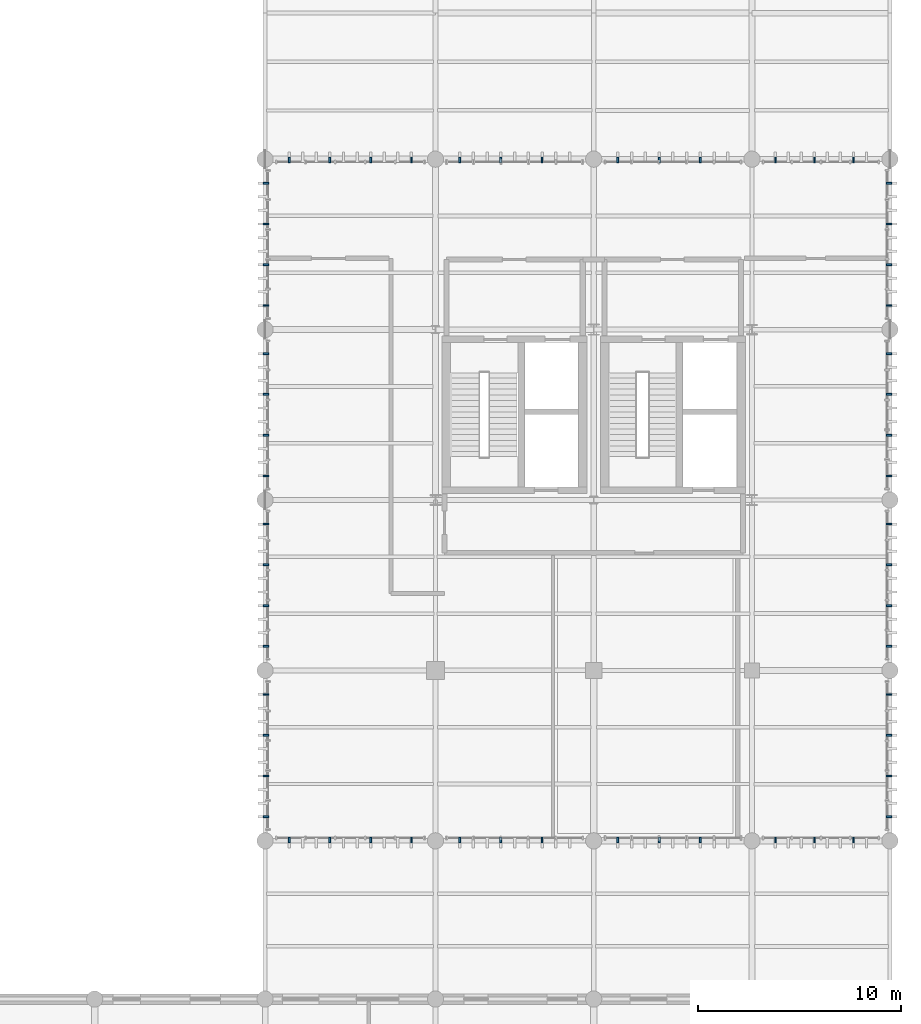
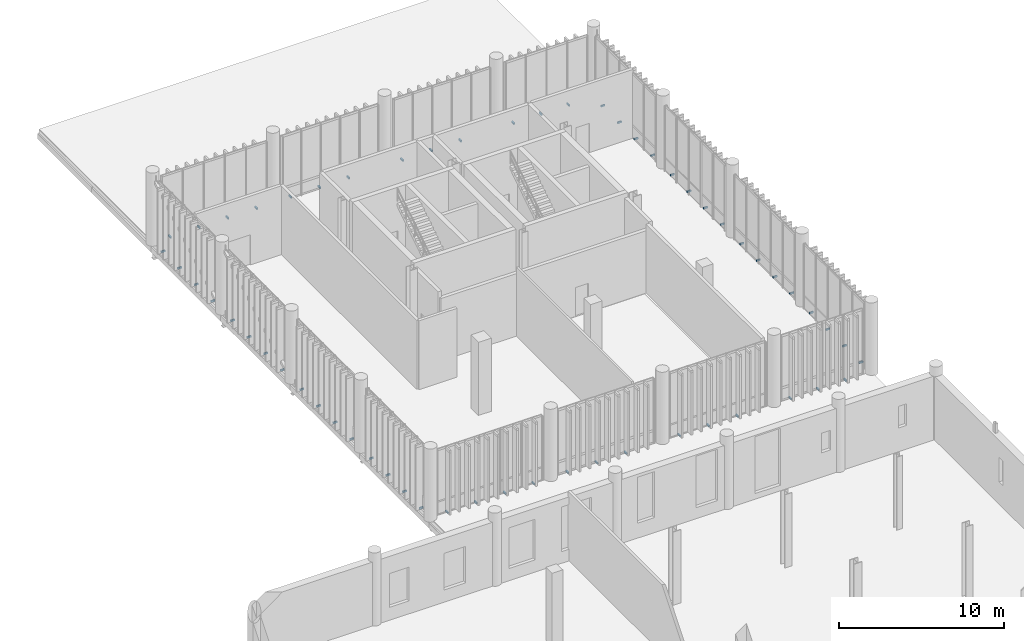
# One storey, part 118 of 128: 58 discrete accessories.
"""IFC4 building model written with IfcOpenShell, lengths in metres."""

from ifc_helpers import new_model, si_unit, direction, frame, origin_with_axes, origin_2d_with_axis, place, context, subcontext, project, spatial, rectangle, extrude, material, type_object, element, save


model = new_model("IFC4")

# Units and contexts
model_context = context("Model", 3, precision=1e-05, world=origin_with_axes(), true_north=direction((0.0, 1.0)))
body_context = subcontext(model_context, "Body", "Model", "MODEL_VIEW")
ifc_project = project(units=[si_unit("LENGTHUNIT", "METRE"), si_unit("AREAUNIT", "SQUARE_METRE"), si_unit("VOLUMEUNIT", "CUBIC_METRE"), si_unit("PLANEANGLEUNIT", "RADIAN"), si_unit("MASSUNIT", "GRAM", prefix="KILO"), si_unit("THERMODYNAMICTEMPERATUREUNIT", "KELVIN")], contexts=[model_context])

# Site, building, storey
site_placement = place(None, origin_with_axes())
site = spatial("IfcSite", under=ifc_project, at=site_placement, CompositionType="ELEMENT")
building_placement = place(site_placement, origin_with_axes())
building = spatial("IfcBuilding", under=site, at=building_placement, Name="Montbau Bow Law Courts", CompositionType="ELEMENT")
storey_placement = place(building_placement, frame((0.0, 0.0, 5.4), z_axis=(0.0, 0.0, 1.0), x_axis=(1.0, 0.0, 0.0)))
storey = spatial("IfcBuildingStorey", under=building, at=storey_placement, Name="L01", CompositionType="ELEMENT", Elevation=5.4)

# Discrete accessories
ifc_material = material(Name="Stainless Steel AISI 316L Outrigger Louvre Bracket", Category="steel")
discrete_accessory_type = type_object("IfcDiscreteAccessoryType", Name="DA-BRK-01", PredefinedType="BRACKET", material=ifc_material)
for number, where, z_axis, x_axis, name in (
    (1, (139.785, 69.64, 5.4), (0.0, 0.0, 1.0), (0.0, -1.0, 0.0), "BRK-L01-0927:brk_0927"),
    (2, (141.795, 69.64, 5.4), (0.0, 0.0, 1.0), (0.0, -1.0, 0.0), "BRK-L01-0928:brk_0928"),
    (3, (143.805, 69.64, 5.4), (0.0, 0.0, 1.0), (0.0, -1.0, 0.0), "BRK-L01-0929:brk_0929"),
    (4, (145.815, 69.64, 5.4), (0.0, 0.0, 1.0), (0.0, -1.0, 0.0), "BRK-L01-0930:brk_0930"),
    (5, (148.192, 69.64, 5.4), (0.0, 0.0, 1.0), (0.0, -1.0, 0.0), "BRK-L01-0931:brk_0931"),
    (6, (150.223, 69.64, 5.4), (0.0, 0.0, 1.0), (0.0, -1.0, 0.0), "BRK-L01-0932:brk_0932"),
    (7, (152.254, 69.64, 5.4), (0.0, 0.0, 1.0), (0.0, -1.0, 0.0), "BRK-L01-0933:brk_0933"),
    (8, (155.992, 69.64, 5.4), (0.0, 0.0, 1.0), (0.0, -1.0, 0.0), "BRK-L01-0934:brk_0934"),
    (9, (158.023, 69.64, 5.4), (0.0, 0.0, 1.0), (0.0, -1.0, 0.0), "BRK-L01-0935:brk_0935"),
    (10, (160.054, 69.64, 5.4), (0.0, 0.0, 1.0), (0.0, -1.0, 0.0), "BRK-L01-0936:brk_0936"),
    (11, (163.756, 69.64, 5.4), (0.0, 0.0, 1.0), (0.0, -1.0, 0.0), "BRK-L01-0937:brk_0937"),
    (12, (165.679, 69.64, 5.4), (0.0, 0.0, 1.0), (0.0, -1.0, 0.0), "BRK-L01-0938:brk_0938"),
    (13, (167.603, 69.64, 5.4), (0.0, 0.0, 1.0), (0.0, -1.0, 0.0), "BRK-L01-0939:brk_0939"),
    (14, (139.785, 103.16, 5.4), (0.0, 0.0, 1.0), (0.0, 1.0, 0.0), "BRK-L01-0940:brk_0940"),
    (15, (141.795, 103.16, 5.4), (0.0, 0.0, 1.0), (0.0, 1.0, 0.0), "BRK-L01-0941:brk_0941"),
    (16, (143.805, 103.16, 5.4), (0.0, 0.0, 1.0), (0.0, 1.0, 0.0), "BRK-L01-0942:brk_0942"),
    (17, (145.815, 103.16, 5.4), (0.0, 0.0, 1.0), (0.0, 1.0, 0.0), "BRK-L01-0943:brk_0943"),
    (18, (148.192, 103.16, 5.4), (0.0, 0.0, 1.0), (0.0, 1.0, 0.0), "BRK-L01-0944:brk_0944"),
    (19, (150.223, 103.16, 5.4), (0.0, 0.0, 1.0), (0.0, 1.0, 0.0), "BRK-L01-0945:brk_0945"),
    (20, (152.254, 103.16, 5.4), (0.0, 0.0, 1.0), (0.0, 1.0, 0.0), "BRK-L01-0946:brk_0946"),
    (21, (155.992, 103.16, 5.4), (0.0, 0.0, 1.0), (0.0, 1.0, 0.0), "BRK-L01-0947:brk_0947"),
    (22, (158.023, 103.16, 5.4), (0.0, 0.0, 1.0), (0.0, 1.0, 0.0), "BRK-L01-0948:brk_0948"),
    (23, (160.054, 103.16, 5.4), (0.0, 0.0, 1.0), (0.0, 1.0, 0.0), "BRK-L01-0949:brk_0949"),
    (24, (163.756, 103.16, 5.4), (0.0, 0.0, 1.0), (0.0, 1.0, 0.0), "BRK-L01-0950:brk_0950"),
    (25, (165.679, 103.16, 5.4), (0.0, 0.0, 1.0), (0.0, 1.0, 0.0), "BRK-L01-0951:brk_0951"),
    (26, (167.603, 103.16, 5.4), (0.0, 0.0, 1.0), (0.0, 1.0, 0.0), "BRK-L01-0952:brk_0952"),
    (27, (138.64, 70.785, 5.4), (0.0, 0.0, 1.0), (-1.0, 0.0, 0.0), "BRK-L01-0953:brk_0953"),
    (28, (138.64, 72.795, 5.4), (0.0, 0.0, 1.0), (-1.0, 0.0, 0.0), "BRK-L01-0954:brk_0954"),
    (29, (138.64, 74.805, 5.4), (0.0, 0.0, 1.0), (-1.0, 0.0, 0.0), "BRK-L01-0955:brk_0955"),
    (30, (138.64, 76.815, 5.4), (0.0, 0.0, 1.0), (-1.0, 0.0, 0.0), "BRK-L01-0956:brk_0956"),
    (31, (138.64, 79.185, 5.4), (0.0, 0.0, 1.0), (-1.0, 0.0, 0.0), "BRK-L01-0957:brk_0957"),
    (32, (138.64, 81.195, 5.4), (0.0, 0.0, 1.0), (-1.0, 0.0, 0.0), "BRK-L01-0958:brk_0958"),
    (33, (138.64, 83.205, 5.4), (0.0, 0.0, 1.0), (-1.0, 0.0, 0.0), "BRK-L01-0959:brk_0959"),
    (34, (138.64, 85.215, 5.4), (0.0, 0.0, 1.0), (-1.0, 0.0, 0.0), "BRK-L01-0960:brk_0960"),
    (35, (138.64, 87.585, 5.4), (0.0, 0.0, 1.0), (-1.0, 0.0, 0.0), "BRK-L01-0961:brk_0961"),
    (36, (138.64, 89.595, 5.4), (0.0, 0.0, 1.0), (-1.0, 0.0, 0.0), "BRK-L01-0962:brk_0962"),
    (37, (138.64, 91.605, 5.4), (0.0, 0.0, 1.0), (-1.0, 0.0, 0.0), "BRK-L01-0963:brk_0963"),
    (38, (138.64, 93.615, 5.4), (0.0, 0.0, 1.0), (-1.0, 0.0, 0.0), "BRK-L01-0964:brk_0964"),
    (39, (138.64, 95.985, 5.4), (0.0, 0.0, 1.0), (-1.0, 0.0, 0.0), "BRK-L01-0965:brk_0965"),
    (40, (138.64, 97.995, 5.4), (0.0, 0.0, 1.0), (-1.0, 0.0, 0.0), "BRK-L01-0966:brk_0966"),
    (41, (138.64, 100.005, 5.4), (0.0, 0.0, 1.0), (-1.0, 0.0, 0.0), "BRK-L01-0967:brk_0967"),
    (42, (138.64, 102.015, 5.4), (0.0, 0.0, 1.0), (-1.0, 0.0, 0.0), "BRK-L01-0968:brk_0968"),
    (43, (169.36, 70.785, 5.4), (0.0, 0.0, 1.0), (1.0, 0.0, 0.0), "BRK-L01-0969:brk_0969"),
    (44, (169.36, 72.795, 5.4), (0.0, 0.0, 1.0), (1.0, 0.0, 0.0), "BRK-L01-0970:brk_0970"),
    (45, (169.36, 74.805, 5.4), (0.0, 0.0, 1.0), (1.0, 0.0, 0.0), "BRK-L01-0971:brk_0971"),
    (46, (169.36, 76.815, 5.4), (0.0, 0.0, 1.0), (1.0, 0.0, 0.0), "BRK-L01-0972:brk_0972"),
    (47, (169.36, 79.185, 5.4), (0.0, 0.0, 1.0), (1.0, 0.0, 0.0), "BRK-L01-0973:brk_0973"),
    (48, (169.36, 81.195, 5.4), (0.0, 0.0, 1.0), (1.0, 0.0, 0.0), "BRK-L01-0974:brk_0974"),
    (49, (169.36, 83.205, 5.4), (0.0, 0.0, 1.0), (1.0, 0.0, 0.0), "BRK-L01-0975:brk_0975"),
    (50, (169.36, 85.215, 5.4), (0.0, 0.0, 1.0), (1.0, 0.0, 0.0), "BRK-L01-0976:brk_0976"),
    (51, (169.36, 87.585, 5.4), (0.0, 0.0, 1.0), (1.0, 0.0, 0.0), "BRK-L01-0977:brk_0977"),
    (52, (169.36, 89.595, 5.4), (0.0, 0.0, 1.0), (1.0, 0.0, 0.0), "BRK-L01-0978:brk_0978"),
    (53, (169.36, 91.605, 5.4), (0.0, 0.0, 1.0), (1.0, 0.0, 0.0), "BRK-L01-0979:brk_0979"),
    (54, (169.36, 93.615, 5.4), (0.0, 0.0, 1.0), (1.0, 0.0, 0.0), "BRK-L01-0980:brk_0980"),
    (55, (169.36, 95.985, 5.4), (0.0, 0.0, 1.0), (1.0, 0.0, 0.0), "BRK-L01-0981:brk_0981"),
    (56, (169.36, 97.995, 5.4), (0.0, 0.0, 1.0), (1.0, 0.0, 0.0), "BRK-L01-0982:brk_0982"),
    (57, (169.36, 100.005, 5.4), (0.0, 0.0, 1.0), (1.0, 0.0, 0.0), "BRK-L01-0983:brk_0983"),
    (58, (169.36, 102.015, 5.4), (0.0, 0.0, 1.0), (1.0, 0.0, 0.0), "BRK-L01-0984:brk_0984"),
):
    element("IfcDiscreteAccessory", number, at=place(None, frame(where, z_axis=z_axis, x_axis=x_axis)), inside=storey, type_object=discrete_accessory_type, Name=name, PredefinedType="BRACKET", context=body_context, shape_type="SweptSolid", body=[
        extrude(rectangle(XDim=0.28, YDim=0.09, at=origin_2d_with_axis()), origin_with_axes(), (0.0, 0.0, 1.0), 0.12),
    ])

save(model, "model.ifc")
